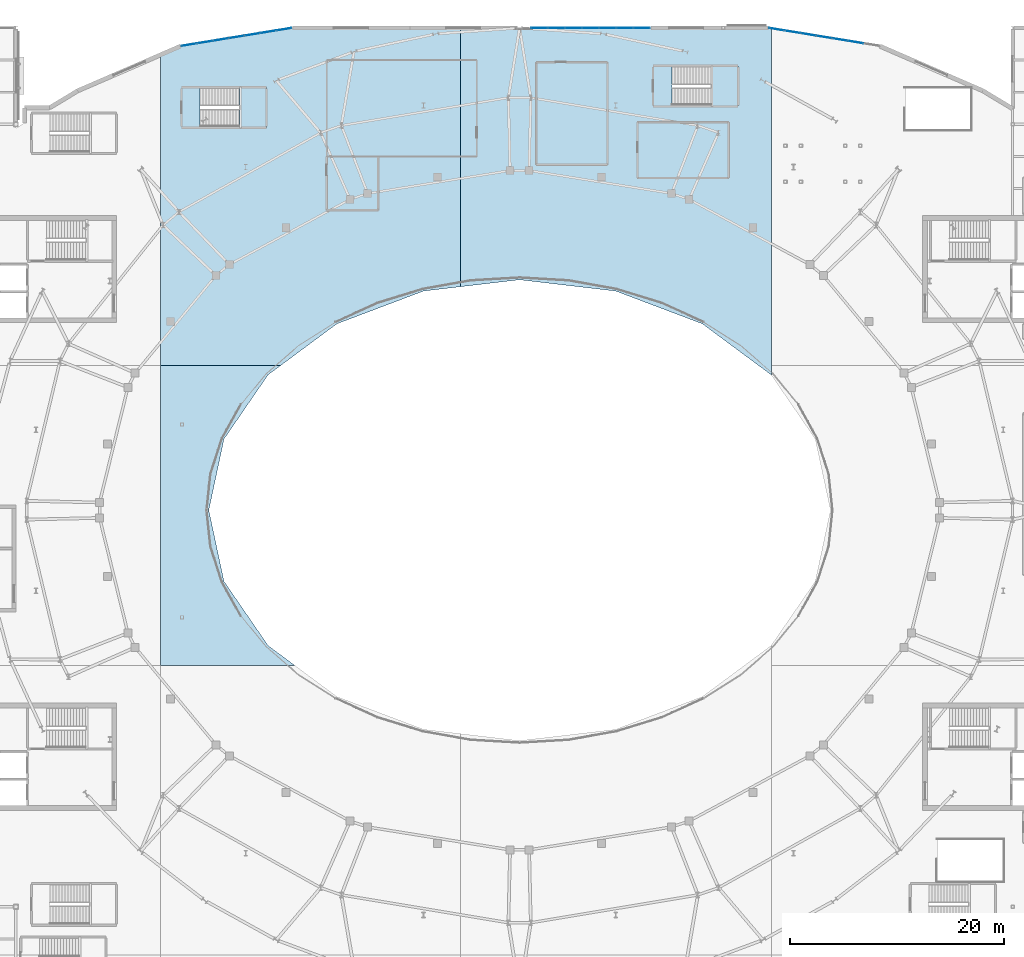
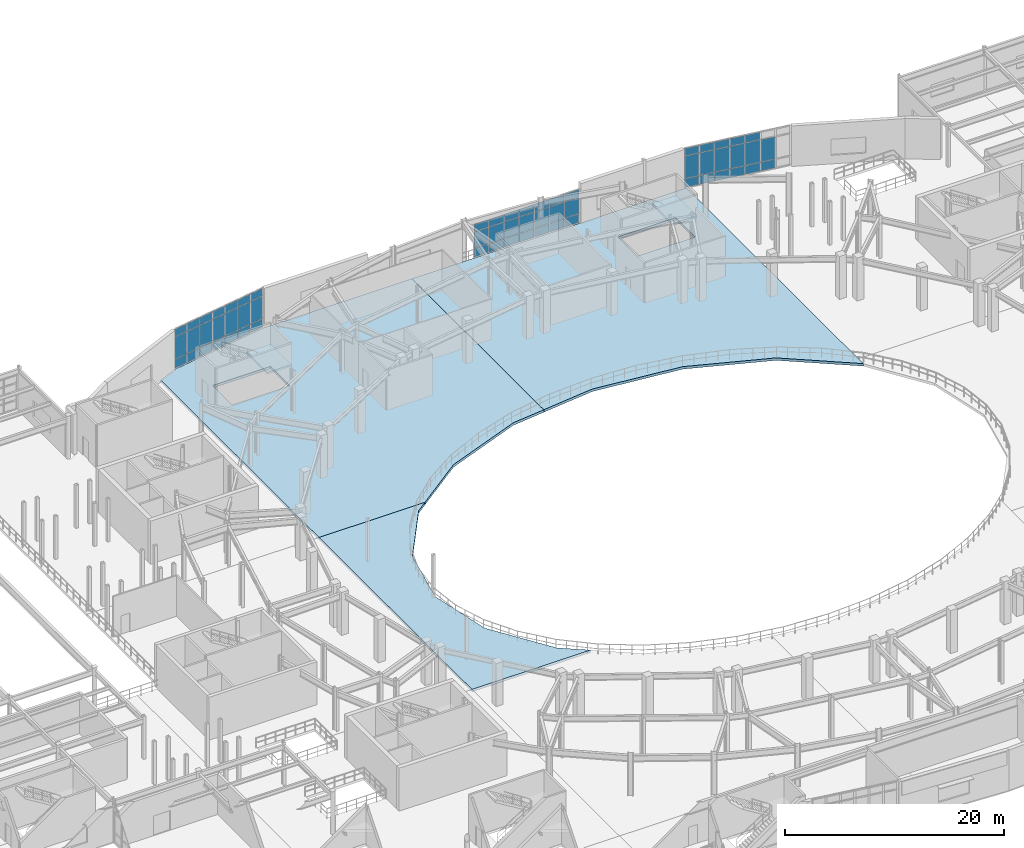
# One storey, part 56 of 86: 59 plates, 5 slabs, 5 elements without a shape of their own.
"""IFC4 building model written with IfcOpenShell, lengths in metres."""

from ifc_helpers import new_model, si_unit, direction, frame, origin, origin_2d, place, context, subcontext, project, spatial, polyline, rectangle, outline, extrude, material, layer, layer_set, type_object, element, aggregate, save


model = new_model("IFC4")

# Units and contexts
model_context = context("Model", 3, precision=1e-05, world=origin(), true_north=direction((0.0, 1.0)))
body_context = subcontext(model_context, "Body", "Model", "MODEL_VIEW")
ifc_project = project(units=[si_unit("LENGTHUNIT", "METRE"), si_unit("AREAUNIT", "SQUARE_METRE"), si_unit("VOLUMEUNIT", "CUBIC_METRE"), si_unit("PLANEANGLEUNIT", "RADIAN"), si_unit("MASSUNIT", "GRAM", prefix="KILO")], contexts=[model_context])

# Site, building, storey
site_placement = place(None, origin())
site = spatial("IfcSite", under=ifc_project, at=site_placement, CompositionType="ELEMENT")
building_placement = place(site_placement, origin())
building = spatial("IfcBuilding", under=site, at=building_placement, Name="Glasvene Arena", CompositionType="ELEMENT")
storey_placement = place(building_placement, frame((0.0, 0.0, 5.39990234375)))
storey = spatial("IfcBuildingStorey", under=building, at=storey_placement, Name="L01", CompositionType="ELEMENT", Elevation=5.39990234375)

# Curtain wall, plates
ifc_material_1 = material(Name="Low-emissivity laminated double glazing", Category="glass")
curtain_wall_type_1 = type_object("IfcCurtainWallType", Name="CW-FAC-L01-1047x446", PredefinedType="USERDEFINED", material=ifc_material_1)
curtain_wall_1_placement = place(storey_placement, frame((60.42041015625, 116.314208984375, 0.0)))
curtain_wall_1 = element("IfcCurtainWall", 1, at=curtain_wall_1_placement, inside=storey, type_object=curtain_wall_type_1, Name="Unitised curtain wall CW-F-L01-180-656-1172-10", ObjectType="CURTAIN WALL", PredefinedType="USERDEFINED")
ifc_layer_1 = layer(ifc_material_1, 0.028076171875)
ifc_layer_set_1 = layer_set([ifc_layer_1], Name="Low-emissivity laminated double glazing")
plate_type = type_object("IfcPlateType", Name="CW-GLZ-28", PredefinedType="CURTAIN_PANEL", material=ifc_layer_set_1)
plate_1_placement = place(storey_placement, frame((61.1708984375, 116.43603515625, 0.10986328125), z_axis=(0.0, 0.0, 1.0), x_axis=(0.987057439407, 0.160367114184, 0.0)))
plate_1 = element("IfcPlate", 2, at=plate_1_placement, type_object=plate_type, Name="CW-008 panel 1.1", PredefinedType="CURTAIN_PANEL", context=body_context, shape_type="SweptSolid", body=[
    extrude(rectangle(XDim=1.421142578125, YDim=0.028076171875, at=origin_2d()), origin(), (0.0, 0.0, 1.0), 0.965087890625),
])
plate_2_placement = place(storey_placement, frame((61.1708984375, 116.43603515625, 1.125), z_axis=(0.0, 0.0, 1.0), x_axis=(0.987057439407, 0.160367114184, 0.0)))
plate_2 = element("IfcPlate", 3, at=plate_2_placement, type_object=plate_type, Name="CW-008 panel 1.2", PredefinedType="CURTAIN_PANEL", context=body_context, shape_type="SweptSolid", body=[
    extrude(rectangle(XDim=1.421142578125, YDim=0.028076171875, at=origin_2d()), origin(), (0.0, 0.0, 1.0), 2.469970703125),
])
plate_3_placement = place(storey_placement, frame((61.1708984375, 116.43603515625, 3.64501953125), z_axis=(0.0, 0.0, 1.0), x_axis=(0.987057439407, 0.160367114184, 0.0)))
plate_3 = element("IfcPlate", 4, at=plate_3_placement, type_object=plate_type, Name="CW-008 panel 1.3", PredefinedType="CURTAIN_PANEL", context=body_context, shape_type="SweptSolid", body=[
    extrude(rectangle(XDim=1.421142578125, YDim=0.028076171875, at=origin_2d()), origin(), (0.0, 0.0, 1.0), 0.824951171875),
])
plate_4_placement = place(storey_placement, frame((62.635498046875, 116.674072265625, 0.10986328125), z_axis=(0.0, 0.0, 1.0), x_axis=(0.987057439407, 0.160367114184, 0.0)))
plate_4 = element("IfcPlate", 5, at=plate_4_placement, type_object=plate_type, Name="CW-008 panel 2.1", PredefinedType="CURTAIN_PANEL", context=body_context, shape_type="SweptSolid", body=[
    extrude(rectangle(XDim=1.446044921875, YDim=0.028076171875, at=origin_2d()), origin(), (0.0, 0.0, 1.0), 0.965087890625),
])
plate_5_placement = place(storey_placement, frame((62.635498046875, 116.674072265625, 1.125), z_axis=(0.0, 0.0, 1.0), x_axis=(0.987057439407, 0.160367114184, 0.0)))
plate_5 = element("IfcPlate", 6, at=plate_5_placement, type_object=plate_type, Name="CW-008 panel 2.2", PredefinedType="CURTAIN_PANEL", context=body_context, shape_type="SweptSolid", body=[
    extrude(rectangle(XDim=1.446044921875, YDim=0.028076171875, at=origin_2d()), origin(), (0.0, 0.0, 1.0), 2.469970703125),
])
plate_6_placement = place(storey_placement, frame((62.635498046875, 116.674072265625, 3.64501953125), z_axis=(0.0, 0.0, 1.0), x_axis=(0.987057439407, 0.160367114184, 0.0)))
plate_6 = element("IfcPlate", 7, at=plate_6_placement, type_object=plate_type, Name="CW-008 panel 2.3", PredefinedType="CURTAIN_PANEL", context=body_context, shape_type="SweptSolid", body=[
    extrude(rectangle(XDim=1.446044921875, YDim=0.028076171875, at=origin_2d()), origin(), (0.0, 0.0, 1.0), 0.824951171875),
])
plate_7_placement = place(storey_placement, frame((64.1123046875, 116.913818359375, 0.10986328125), z_axis=(0.0, 0.0, 1.0), x_axis=(0.987057439407, 0.160367114184, 0.0)))
plate_7 = element("IfcPlate", 8, at=plate_7_placement, type_object=plate_type, Name="CW-008 panel 3.1", PredefinedType="CURTAIN_PANEL", context=body_context, shape_type="SweptSolid", body=[
    extrude(rectangle(XDim=1.446044921875, YDim=0.028076171875, at=origin_2d()), origin(), (0.0, 0.0, 1.0), 0.965087890625),
])
plate_8_placement = place(storey_placement, frame((64.1123046875, 116.913818359375, 1.125), z_axis=(0.0, 0.0, 1.0), x_axis=(0.987057439407, 0.160367114184, 0.0)))
plate_8 = element("IfcPlate", 9, at=plate_8_placement, type_object=plate_type, Name="CW-008 panel 3.2", PredefinedType="CURTAIN_PANEL", context=body_context, shape_type="SweptSolid", body=[
    extrude(rectangle(XDim=1.446044921875, YDim=0.028076171875, at=origin_2d()), origin(), (0.0, 0.0, 1.0), 2.469970703125),
])
plate_9_placement = place(storey_placement, frame((64.1123046875, 116.913818359375, 3.64501953125), z_axis=(0.0, 0.0, 1.0), x_axis=(0.987057439407, 0.160367114184, 0.0)))
plate_9 = element("IfcPlate", 10, at=plate_9_placement, type_object=plate_type, Name="CW-008 panel 3.3", PredefinedType="CURTAIN_PANEL", context=body_context, shape_type="SweptSolid", body=[
    extrude(rectangle(XDim=1.446044921875, YDim=0.028076171875, at=origin_2d()), origin(), (0.0, 0.0, 1.0), 0.824951171875),
])
plate_10_placement = place(storey_placement, frame((65.5888671875, 117.15380859375, 0.10986328125), z_axis=(0.0, 0.0, 1.0), x_axis=(0.987057439407, 0.160367114184, 0.0)))
plate_10 = element("IfcPlate", 11, at=plate_10_placement, type_object=plate_type, Name="CW-008 panel 4.1", PredefinedType="CURTAIN_PANEL", context=body_context, shape_type="SweptSolid", body=[
    extrude(rectangle(XDim=1.446044921875, YDim=0.028076171875, at=origin_2d()), origin(), (0.0, 0.0, 1.0), 0.965087890625),
])
plate_11_placement = place(storey_placement, frame((65.5888671875, 117.15380859375, 1.125), z_axis=(0.0, 0.0, 1.0), x_axis=(0.987057439407, 0.160367114184, 0.0)))
plate_11 = element("IfcPlate", 12, at=plate_11_placement, type_object=plate_type, Name="CW-008 panel 4.2", PredefinedType="CURTAIN_PANEL", context=body_context, shape_type="SweptSolid", body=[
    extrude(rectangle(XDim=1.446044921875, YDim=0.028076171875, at=origin_2d()), origin(), (0.0, 0.0, 1.0), 2.469970703125),
])
plate_12_placement = place(storey_placement, frame((65.5888671875, 117.15380859375, 3.64501953125), z_axis=(0.0, 0.0, 1.0), x_axis=(0.987057439407, 0.160367114184, 0.0)))
plate_12 = element("IfcPlate", 13, at=plate_12_placement, type_object=plate_type, Name="CW-008 panel 4.3", PredefinedType="CURTAIN_PANEL", context=body_context, shape_type="SweptSolid", body=[
    extrude(rectangle(XDim=1.446044921875, YDim=0.028076171875, at=origin_2d()), origin(), (0.0, 0.0, 1.0), 0.824951171875),
])
plate_13_placement = place(storey_placement, frame((67.065673828125, 117.393798828125, 0.10986328125), z_axis=(0.0, 0.0, 1.0), x_axis=(0.987057439407, 0.160367114184, 0.0)))
plate_13 = element("IfcPlate", 14, at=plate_13_placement, type_object=plate_type, Name="CW-008 panel 5.1", PredefinedType="CURTAIN_PANEL", context=body_context, shape_type="SweptSolid", body=[
    extrude(rectangle(XDim=1.446044921875, YDim=0.028076171875, at=origin_2d()), origin(), (0.0, 0.0, 1.0), 0.965087890625),
])
plate_14_placement = place(storey_placement, frame((67.065673828125, 117.393798828125, 1.125), z_axis=(0.0, 0.0, 1.0), x_axis=(0.987057439407, 0.160367114184, 0.0)))
plate_14 = element("IfcPlate", 15, at=plate_14_placement, type_object=plate_type, Name="CW-008 panel 5.2", PredefinedType="CURTAIN_PANEL", context=body_context, shape_type="SweptSolid", body=[
    extrude(rectangle(XDim=1.446044921875, YDim=0.028076171875, at=origin_2d()), origin(), (0.0, 0.0, 1.0), 2.469970703125),
])
plate_15_placement = place(storey_placement, frame((67.065673828125, 117.393798828125, 3.64501953125), z_axis=(0.0, 0.0, 1.0), x_axis=(0.987057439407, 0.160367114184, 0.0)))
plate_15 = element("IfcPlate", 16, at=plate_15_placement, type_object=plate_type, Name="CW-008 panel 5.3", PredefinedType="CURTAIN_PANEL", context=body_context, shape_type="SweptSolid", body=[
    extrude(rectangle(XDim=1.446044921875, YDim=0.028076171875, at=origin_2d()), origin(), (0.0, 0.0, 1.0), 0.824951171875),
])
plate_16_placement = place(storey_placement, frame((68.54248046875, 117.6337890625, 0.10986328125), z_axis=(0.0, 0.0, 1.0), x_axis=(0.987057439407, 0.160367114184, 0.0)))
plate_16 = element("IfcPlate", 17, at=plate_16_placement, type_object=plate_type, Name="CW-008 panel 6.1", PredefinedType="CURTAIN_PANEL", context=body_context, shape_type="SweptSolid", body=[
    extrude(rectangle(XDim=1.446044921875, YDim=0.028076171875, at=origin_2d()), origin(), (0.0, 0.0, 1.0), 0.965087890625),
])
plate_17_placement = place(storey_placement, frame((68.54248046875, 117.6337890625, 1.125), z_axis=(0.0, 0.0, 1.0), x_axis=(0.987057439407, 0.160367114184, 0.0)))
plate_17 = element("IfcPlate", 18, at=plate_17_placement, type_object=plate_type, Name="CW-008 panel 6.2", PredefinedType="CURTAIN_PANEL", context=body_context, shape_type="SweptSolid", body=[
    extrude(rectangle(XDim=1.446044921875, YDim=0.028076171875, at=origin_2d()), origin(), (0.0, 0.0, 1.0), 2.469970703125),
])
plate_18_placement = place(storey_placement, frame((68.54248046875, 117.6337890625, 3.64501953125), z_axis=(0.0, 0.0, 1.0), x_axis=(0.987057439407, 0.160367114184, 0.0)))
plate_18 = element("IfcPlate", 19, at=plate_18_placement, type_object=plate_type, Name="CW-008 panel 6.3", PredefinedType="CURTAIN_PANEL", context=body_context, shape_type="SweptSolid", body=[
    extrude(rectangle(XDim=1.446044921875, YDim=0.028076171875, at=origin_2d()), origin(), (0.0, 0.0, 1.0), 0.824951171875),
])
plate_19_placement = place(storey_placement, frame((70.0068359375, 117.87158203125, 0.10986328125), z_axis=(0.0, 0.0, 1.0), x_axis=(0.987057439407, 0.160367114184, 0.0)))
plate_19 = element("IfcPlate", 20, at=plate_19_placement, type_object=plate_type, Name="CW-008 panel 7.1", PredefinedType="CURTAIN_PANEL", context=body_context, shape_type="SweptSolid", body=[
    extrude(rectangle(XDim=1.421142578125, YDim=0.028076171875, at=origin_2d()), origin(), (0.0, 0.0, 1.0), 0.965087890625),
])
plate_20_placement = place(storey_placement, frame((70.0068359375, 117.87158203125, 1.125), z_axis=(0.0, 0.0, 1.0), x_axis=(0.987057439407, 0.160367114184, 0.0)))
plate_20 = element("IfcPlate", 21, at=plate_20_placement, type_object=plate_type, Name="CW-008 panel 7.2", PredefinedType="CURTAIN_PANEL", context=body_context, shape_type="SweptSolid", body=[
    extrude(rectangle(XDim=1.421142578125, YDim=0.028076171875, at=origin_2d()), origin(), (0.0, 0.0, 1.0), 2.469970703125),
])
plate_21_placement = place(storey_placement, frame((70.0068359375, 117.87158203125, 3.64501953125), z_axis=(0.0, 0.0, 1.0), x_axis=(0.987057439407, 0.160367114184, 0.0)))
plate_21 = element("IfcPlate", 22, at=plate_21_placement, type_object=plate_type, Name="CW-008 panel 7.3", PredefinedType="CURTAIN_PANEL", context=body_context, shape_type="SweptSolid", body=[
    extrude(rectangle(XDim=1.421142578125, YDim=0.028076171875, at=origin_2d()), origin(), (0.0, 0.0, 1.0), 0.824951171875),
])
aggregate(curtain_wall_1, [plate_1, plate_2, plate_3, plate_4, plate_5, plate_6, plate_7, plate_8, plate_9, plate_10, plate_11, plate_12, plate_13, plate_14, plate_15, plate_16, plate_17, plate_18, plate_19, plate_20, plate_21])

curtain_wall_type_2 = type_object("IfcCurtainWallType", Name="CW-FAC-L01-1116x377", PredefinedType="USERDEFINED", material=ifc_material_1)
curtain_wall_2_placement = place(storey_placement, frame((93.0400390625, 118.0, 0.0)))
curtain_wall_2 = element("IfcCurtainWall", 23, at=curtain_wall_2_placement, inside=storey, type_object=curtain_wall_type_2, Name="Unitised curtain wall CW-F-L01-150-986-1180-13", ObjectType="CURTAIN WALL", PredefinedType="USERDEFINED")
plate_22_placement = place(storey_placement, frame((93.849609375, 118.0, 0.10986328125), z_axis=(0.0, 0.0, 1.0), x_axis=(1.0, 0.0, 0.0)))
plate_22 = element("IfcPlate", 24, at=plate_22_placement, type_object=plate_type, Name="CW-009 panel 1.1", PredefinedType="CURTAIN_PANEL", context=body_context, shape_type="SweptSolid", body=[
    extrude(rectangle(XDim=1.519287109375, YDim=0.028076171875, at=origin_2d()), origin(), (0.0, 0.0, 1.0), 0.965087890625),
])
plate_23_placement = place(storey_placement, frame((93.849609375, 118.0, 1.125), z_axis=(0.0, 0.0, 1.0), x_axis=(1.0, 0.0, 0.0)))
plate_23 = element("IfcPlate", 25, at=plate_23_placement, type_object=plate_type, Name="CW-009 panel 1.2", PredefinedType="CURTAIN_PANEL", context=body_context, shape_type="SweptSolid", body=[
    extrude(rectangle(XDim=1.519287109375, YDim=0.028076171875, at=origin_2d()), origin(), (0.0, 0.0, 1.0), 1.781982421875),
])
plate_24_placement = place(storey_placement, frame((93.849609375, 118.0, 2.95703125), z_axis=(0.0, 0.0, 1.0), x_axis=(1.0, 0.0, 0.0)))
plate_24 = element("IfcPlate", 26, at=plate_24_placement, type_object=plate_type, Name="CW-009 panel 1.3", PredefinedType="CURTAIN_PANEL", context=body_context, shape_type="SweptSolid", body=[
    extrude(rectangle(XDim=1.519287109375, YDim=0.028076171875, at=origin_2d()), origin(), (0.0, 0.0, 1.0), 0.824951171875),
])
plate_25_placement = place(storey_placement, frame((95.431396484375, 118.0, 0.10986328125), z_axis=(0.0, 0.0, 1.0), x_axis=(1.0, 0.0, 0.0)))
plate_25 = element("IfcPlate", 27, at=plate_25_placement, type_object=plate_type, Name="CW-009 panel 2.1", PredefinedType="CURTAIN_PANEL", context=body_context, shape_type="SweptSolid", body=[
    extrude(rectangle(XDim=1.544189453125, YDim=0.028076171875, at=origin_2d()), origin(), (0.0, 0.0, 1.0), 0.965087890625),
])
plate_26_placement = place(storey_placement, frame((95.431396484375, 118.0, 1.125), z_axis=(0.0, 0.0, 1.0), x_axis=(1.0, 0.0, 0.0)))
plate_26 = element("IfcPlate", 28, at=plate_26_placement, type_object=plate_type, Name="CW-009 panel 2.2", PredefinedType="CURTAIN_PANEL", context=body_context, shape_type="SweptSolid", body=[
    extrude(rectangle(XDim=1.544189453125, YDim=0.028076171875, at=origin_2d()), origin(), (0.0, 0.0, 1.0), 1.781982421875),
])
plate_27_placement = place(storey_placement, frame((95.431396484375, 118.0, 2.95703125), z_axis=(0.0, 0.0, 1.0), x_axis=(1.0, 0.0, 0.0)))
plate_27 = element("IfcPlate", 29, at=plate_27_placement, type_object=plate_type, Name="CW-009 panel 2.3", PredefinedType="CURTAIN_PANEL", context=body_context, shape_type="SweptSolid", body=[
    extrude(rectangle(XDim=1.544189453125, YDim=0.028076171875, at=origin_2d()), origin(), (0.0, 0.0, 1.0), 0.824951171875),
])
plate_28_placement = place(storey_placement, frame((97.025634765625, 118.0, 0.10986328125), z_axis=(0.0, 0.0, 1.0), x_axis=(1.0, 0.0, 0.0)))
plate_28 = element("IfcPlate", 30, at=plate_28_placement, type_object=plate_type, Name="CW-009 panel 3.1", PredefinedType="CURTAIN_PANEL", context=body_context, shape_type="SweptSolid", body=[
    extrude(rectangle(XDim=1.544189453125, YDim=0.028076171875, at=origin_2d()), origin(), (0.0, 0.0, 1.0), 0.965087890625),
])
plate_29_placement = place(storey_placement, frame((97.025634765625, 118.0, 1.125), z_axis=(0.0, 0.0, 1.0), x_axis=(1.0, 0.0, 0.0)))
plate_29 = element("IfcPlate", 31, at=plate_29_placement, type_object=plate_type, Name="CW-009 panel 3.2", PredefinedType="CURTAIN_PANEL", context=body_context, shape_type="SweptSolid", body=[
    extrude(rectangle(XDim=1.544189453125, YDim=0.028076171875, at=origin_2d()), origin(), (0.0, 0.0, 1.0), 1.781982421875),
])
plate_30_placement = place(storey_placement, frame((97.025634765625, 118.0, 2.95703125), z_axis=(0.0, 0.0, 1.0), x_axis=(1.0, 0.0, 0.0)))
plate_30 = element("IfcPlate", 32, at=plate_30_placement, type_object=plate_type, Name="CW-009 panel 3.3", PredefinedType="CURTAIN_PANEL", context=body_context, shape_type="SweptSolid", body=[
    extrude(rectangle(XDim=1.544189453125, YDim=0.028076171875, at=origin_2d()), origin(), (0.0, 0.0, 1.0), 0.824951171875),
])
plate_31_placement = place(storey_placement, frame((98.619873046875, 118.0, 0.10986328125), z_axis=(0.0, 0.0, 1.0), x_axis=(1.0, 0.0, 0.0)))
plate_31 = element("IfcPlate", 33, at=plate_31_placement, type_object=plate_type, Name="CW-009 panel 4.1", PredefinedType="CURTAIN_PANEL", context=body_context, shape_type="SweptSolid", body=[
    extrude(rectangle(XDim=1.544189453125, YDim=0.028076171875, at=origin_2d()), origin(), (0.0, 0.0, 1.0), 0.965087890625),
])
plate_32_placement = place(storey_placement, frame((98.619873046875, 118.0, 1.125), z_axis=(0.0, 0.0, 1.0), x_axis=(1.0, 0.0, 0.0)))
plate_32 = element("IfcPlate", 34, at=plate_32_placement, type_object=plate_type, Name="CW-009 panel 4.2", PredefinedType="CURTAIN_PANEL", context=body_context, shape_type="SweptSolid", body=[
    extrude(rectangle(XDim=1.544189453125, YDim=0.028076171875, at=origin_2d()), origin(), (0.0, 0.0, 1.0), 1.781982421875),
])
plate_33_placement = place(storey_placement, frame((98.619873046875, 118.0, 2.95703125), z_axis=(0.0, 0.0, 1.0), x_axis=(1.0, 0.0, 0.0)))
plate_33 = element("IfcPlate", 35, at=plate_33_placement, type_object=plate_type, Name="CW-009 panel 4.3", PredefinedType="CURTAIN_PANEL", context=body_context, shape_type="SweptSolid", body=[
    extrude(rectangle(XDim=1.544189453125, YDim=0.028076171875, at=origin_2d()), origin(), (0.0, 0.0, 1.0), 0.824951171875),
])
plate_34_placement = place(storey_placement, frame((100.214111328125, 118.0, 0.10986328125), z_axis=(0.0, 0.0, 1.0), x_axis=(1.0, 0.0, 0.0)))
plate_34 = element("IfcPlate", 36, at=plate_34_placement, type_object=plate_type, Name="CW-009 panel 5.1", PredefinedType="CURTAIN_PANEL", context=body_context, shape_type="SweptSolid", body=[
    extrude(rectangle(XDim=1.544189453125, YDim=0.028076171875, at=origin_2d()), origin(), (0.0, 0.0, 1.0), 0.965087890625),
])
plate_35_placement = place(storey_placement, frame((100.214111328125, 118.0, 1.125), z_axis=(0.0, 0.0, 1.0), x_axis=(1.0, 0.0, 0.0)))
plate_35 = element("IfcPlate", 37, at=plate_35_placement, type_object=plate_type, Name="CW-009 panel 5.2", PredefinedType="CURTAIN_PANEL", context=body_context, shape_type="SweptSolid", body=[
    extrude(rectangle(XDim=1.544189453125, YDim=0.028076171875, at=origin_2d()), origin(), (0.0, 0.0, 1.0), 1.781982421875),
])
plate_36_placement = place(storey_placement, frame((100.214111328125, 118.0, 2.95703125), z_axis=(0.0, 0.0, 1.0), x_axis=(1.0, 0.0, 0.0)))
plate_36 = element("IfcPlate", 38, at=plate_36_placement, type_object=plate_type, Name="CW-009 panel 5.3", PredefinedType="CURTAIN_PANEL", context=body_context, shape_type="SweptSolid", body=[
    extrude(rectangle(XDim=1.544189453125, YDim=0.028076171875, at=origin_2d()), origin(), (0.0, 0.0, 1.0), 0.824951171875),
])
plate_37_placement = place(storey_placement, frame((101.808349609375, 118.0, 0.10986328125), z_axis=(0.0, 0.0, 1.0), x_axis=(1.0, 0.0, 0.0)))
plate_37 = element("IfcPlate", 39, at=plate_37_placement, type_object=plate_type, Name="CW-009 panel 6.1", PredefinedType="CURTAIN_PANEL", context=body_context, shape_type="SweptSolid", body=[
    extrude(rectangle(XDim=1.544189453125, YDim=0.028076171875, at=origin_2d()), origin(), (0.0, 0.0, 1.0), 0.965087890625),
])
plate_38_placement = place(storey_placement, frame((101.808349609375, 118.0, 1.125), z_axis=(0.0, 0.0, 1.0), x_axis=(1.0, 0.0, 0.0)))
plate_38 = element("IfcPlate", 40, at=plate_38_placement, type_object=plate_type, Name="CW-009 panel 6.2", PredefinedType="CURTAIN_PANEL", context=body_context, shape_type="SweptSolid", body=[
    extrude(rectangle(XDim=1.544189453125, YDim=0.028076171875, at=origin_2d()), origin(), (0.0, 0.0, 1.0), 1.781982421875),
])
plate_39_placement = place(storey_placement, frame((101.808349609375, 118.0, 2.95703125), z_axis=(0.0, 0.0, 1.0), x_axis=(1.0, 0.0, 0.0)))
plate_39 = element("IfcPlate", 41, at=plate_39_placement, type_object=plate_type, Name="CW-009 panel 6.3", PredefinedType="CURTAIN_PANEL", context=body_context, shape_type="SweptSolid", body=[
    extrude(rectangle(XDim=1.544189453125, YDim=0.028076171875, at=origin_2d()), origin(), (0.0, 0.0, 1.0), 0.824951171875),
])
plate_40_placement = place(storey_placement, frame((103.39013671875, 118.0, 0.10986328125), z_axis=(0.0, 0.0, 1.0), x_axis=(1.0, 0.0, 0.0)))
plate_40 = element("IfcPlate", 42, at=plate_40_placement, type_object=plate_type, Name="CW-009 panel 7.1", PredefinedType="CURTAIN_PANEL", context=body_context, shape_type="SweptSolid", body=[
    extrude(rectangle(XDim=1.519287109375, YDim=0.028076171875, at=origin_2d()), origin(), (0.0, 0.0, 1.0), 0.965087890625),
])
plate_41_placement = place(storey_placement, frame((103.39013671875, 118.0, 1.125), z_axis=(0.0, 0.0, 1.0), x_axis=(1.0, 0.0, 0.0)))
plate_41 = element("IfcPlate", 43, at=plate_41_placement, type_object=plate_type, Name="CW-009 panel 7.2", PredefinedType="CURTAIN_PANEL", context=body_context, shape_type="SweptSolid", body=[
    extrude(rectangle(XDim=1.519287109375, YDim=0.028076171875, at=origin_2d()), origin(), (0.0, 0.0, 1.0), 1.781982421875),
])
plate_42_placement = place(storey_placement, frame((103.39013671875, 118.0, 2.95703125), z_axis=(0.0, 0.0, 1.0), x_axis=(1.0, 0.0, 0.0)))
plate_42 = element("IfcPlate", 44, at=plate_42_placement, type_object=plate_type, Name="CW-009 panel 7.3", PredefinedType="CURTAIN_PANEL", context=body_context, shape_type="SweptSolid", body=[
    extrude(rectangle(XDim=1.519287109375, YDim=0.028076171875, at=origin_2d()), origin(), (0.0, 0.0, 1.0), 0.824951171875),
])
aggregate(curtain_wall_2, [plate_22, plate_23, plate_24, plate_25, plate_26, plate_27, plate_28, plate_29, plate_30, plate_31, plate_32, plate_33, plate_34, plate_35, plate_36, plate_37, plate_38, plate_39, plate_40, plate_41, plate_42])

curtain_wall_3_placement = place(storey_placement, frame((115.242431640625, 117.99365234375, 0.0)))
curtain_wall_3 = element("IfcCurtainWall", 45, at=curtain_wall_3_placement, inside=storey, type_object=curtain_wall_type_1, Name="Unitised curtain wall CW-F-L01-180-1204-1172-16", ObjectType="CURTAIN WALL", PredefinedType="USERDEFINED")
plate_43_placement = place(storey_placement, frame((115.9931640625, 117.87158203125, 0.10986328125), z_axis=(0.0, 0.0, 1.0), x_axis=(0.987057439407, -0.160367114184, 0.0)))
plate_43 = element("IfcPlate", 46, at=plate_43_placement, type_object=plate_type, Name="CW-008 panel 1.1", PredefinedType="CURTAIN_PANEL", context=body_context, shape_type="SweptSolid", body=[
    extrude(rectangle(XDim=1.421142578125, YDim=0.028076171875, at=origin_2d()), origin(), (0.0, 0.0, 1.0), 0.965087890625),
])
plate_44_placement = place(storey_placement, frame((115.9931640625, 117.87158203125, 1.125), z_axis=(0.0, 0.0, 1.0), x_axis=(0.987057439407, -0.160367114184, 0.0)))
plate_44 = element("IfcPlate", 47, at=plate_44_placement, type_object=plate_type, Name="CW-008 panel 1.2", PredefinedType="CURTAIN_PANEL", context=body_context, shape_type="SweptSolid", body=[
    extrude(rectangle(XDim=1.421142578125, YDim=0.028076171875, at=origin_2d()), origin(), (0.0, 0.0, 1.0), 2.469970703125),
])
plate_45_placement = place(storey_placement, frame((115.9931640625, 117.87158203125, 3.64501953125), z_axis=(0.0, 0.0, 1.0), x_axis=(0.987057439407, -0.160367114184, 0.0)))
plate_45 = element("IfcPlate", 48, at=plate_45_placement, type_object=plate_type, Name="CW-008 panel 1.3", PredefinedType="CURTAIN_PANEL", context=body_context, shape_type="SweptSolid", body=[
    extrude(rectangle(XDim=1.421142578125, YDim=0.028076171875, at=origin_2d()), origin(), (0.0, 0.0, 1.0), 0.824951171875),
])
plate_46_placement = place(storey_placement, frame((117.45751953125, 117.6337890625, 0.10986328125), z_axis=(0.0, 0.0, 1.0), x_axis=(0.987057439407, -0.160367114184, 0.0)))
plate_46 = element("IfcPlate", 49, at=plate_46_placement, type_object=plate_type, Name="CW-008 panel 2.1", PredefinedType="CURTAIN_PANEL", context=body_context, shape_type="SweptSolid", body=[
    extrude(rectangle(XDim=1.446044921875, YDim=0.028076171875, at=origin_2d()), origin(), (0.0, 0.0, 1.0), 0.965087890625),
])
plate_47_placement = place(storey_placement, frame((117.45751953125, 117.6337890625, 1.125), z_axis=(0.0, 0.0, 1.0), x_axis=(0.987057439407, -0.160367114184, 0.0)))
plate_47 = element("IfcPlate", 50, at=plate_47_placement, type_object=plate_type, Name="CW-008 panel 2.2", PredefinedType="CURTAIN_PANEL", context=body_context, shape_type="SweptSolid", body=[
    extrude(rectangle(XDim=1.446044921875, YDim=0.028076171875, at=origin_2d()), origin(), (0.0, 0.0, 1.0), 2.469970703125),
])
plate_48_placement = place(storey_placement, frame((117.45751953125, 117.6337890625, 3.64501953125), z_axis=(0.0, 0.0, 1.0), x_axis=(0.987057439407, -0.160367114184, 0.0)))
plate_48 = element("IfcPlate", 51, at=plate_48_placement, type_object=plate_type, Name="CW-008 panel 2.3", PredefinedType="CURTAIN_PANEL", context=body_context, shape_type="SweptSolid", body=[
    extrude(rectangle(XDim=1.446044921875, YDim=0.028076171875, at=origin_2d()), origin(), (0.0, 0.0, 1.0), 0.824951171875),
])
plate_49_placement = place(storey_placement, frame((118.934326171875, 117.393798828125, 0.10986328125), z_axis=(0.0, 0.0, 1.0), x_axis=(0.987057439407, -0.160367114184, 0.0)))
plate_49 = element("IfcPlate", 52, at=plate_49_placement, type_object=plate_type, Name="CW-008 panel 3.1", PredefinedType="CURTAIN_PANEL", context=body_context, shape_type="SweptSolid", body=[
    extrude(rectangle(XDim=1.446044921875, YDim=0.028076171875, at=origin_2d()), origin(), (0.0, 0.0, 1.0), 0.965087890625),
])
plate_50_placement = place(storey_placement, frame((118.934326171875, 117.393798828125, 1.125), z_axis=(0.0, 0.0, 1.0), x_axis=(0.987057439407, -0.160367114184, 0.0)))
plate_50 = element("IfcPlate", 53, at=plate_50_placement, type_object=plate_type, Name="CW-008 panel 3.2", PredefinedType="CURTAIN_PANEL", context=body_context, shape_type="SweptSolid", body=[
    extrude(rectangle(XDim=1.446044921875, YDim=0.028076171875, at=origin_2d()), origin(), (0.0, 0.0, 1.0), 2.469970703125),
])
plate_51_placement = place(storey_placement, frame((118.934326171875, 117.393798828125, 3.64501953125), z_axis=(0.0, 0.0, 1.0), x_axis=(0.987057439407, -0.160367114184, 0.0)))
plate_51 = element("IfcPlate", 54, at=plate_51_placement, type_object=plate_type, Name="CW-008 panel 3.3", PredefinedType="CURTAIN_PANEL", context=body_context, shape_type="SweptSolid", body=[
    extrude(rectangle(XDim=1.446044921875, YDim=0.028076171875, at=origin_2d()), origin(), (0.0, 0.0, 1.0), 0.824951171875),
])
plate_52_placement = place(storey_placement, frame((120.4111328125, 117.15380859375, 0.10986328125), z_axis=(0.0, 0.0, 1.0), x_axis=(0.987057439407, -0.160367114184, 0.0)))
plate_52 = element("IfcPlate", 55, at=plate_52_placement, type_object=plate_type, Name="CW-008 panel 4.1", PredefinedType="CURTAIN_PANEL", context=body_context, shape_type="SweptSolid", body=[
    extrude(rectangle(XDim=1.446044921875, YDim=0.028076171875, at=origin_2d()), origin(), (0.0, 0.0, 1.0), 0.965087890625),
])
plate_53_placement = place(storey_placement, frame((120.4111328125, 117.15380859375, 1.125), z_axis=(0.0, 0.0, 1.0), x_axis=(0.987057439407, -0.160367114184, 0.0)))
plate_53 = element("IfcPlate", 56, at=plate_53_placement, type_object=plate_type, Name="CW-008 panel 4.2", PredefinedType="CURTAIN_PANEL", context=body_context, shape_type="SweptSolid", body=[
    extrude(rectangle(XDim=1.446044921875, YDim=0.028076171875, at=origin_2d()), origin(), (0.0, 0.0, 1.0), 2.469970703125),
])
plate_54_placement = place(storey_placement, frame((120.4111328125, 117.15380859375, 3.64501953125), z_axis=(0.0, 0.0, 1.0), x_axis=(0.987057439407, -0.160367114184, 0.0)))
plate_54 = element("IfcPlate", 57, at=plate_54_placement, type_object=plate_type, Name="CW-008 panel 4.3", PredefinedType="CURTAIN_PANEL", context=body_context, shape_type="SweptSolid", body=[
    extrude(rectangle(XDim=1.446044921875, YDim=0.028076171875, at=origin_2d()), origin(), (0.0, 0.0, 1.0), 0.824951171875),
])
plate_55_placement = place(storey_placement, frame((121.8876953125, 116.913818359375, 0.10986328125), z_axis=(0.0, 0.0, 1.0), x_axis=(0.987057439407, -0.160367114184, 0.0)))
plate_55 = element("IfcPlate", 58, at=plate_55_placement, type_object=plate_type, Name="CW-008 panel 5.1", PredefinedType="CURTAIN_PANEL", context=body_context, shape_type="SweptSolid", body=[
    extrude(rectangle(XDim=1.446044921875, YDim=0.028076171875, at=origin_2d()), origin(), (0.0, 0.0, 1.0), 0.965087890625),
])
plate_56_placement = place(storey_placement, frame((121.8876953125, 116.913818359375, 1.125), z_axis=(0.0, 0.0, 1.0), x_axis=(0.987057439407, -0.160367114184, 0.0)))
plate_56 = element("IfcPlate", 59, at=plate_56_placement, type_object=plate_type, Name="CW-008 panel 5.2", PredefinedType="CURTAIN_PANEL", context=body_context, shape_type="SweptSolid", body=[
    extrude(rectangle(XDim=1.446044921875, YDim=0.028076171875, at=origin_2d()), origin(), (0.0, 0.0, 1.0), 2.469970703125),
])
plate_57_placement = place(storey_placement, frame((121.8876953125, 116.913818359375, 3.64501953125), z_axis=(0.0, 0.0, 1.0), x_axis=(0.987057439407, -0.160367114184, 0.0)))
plate_57 = element("IfcPlate", 60, at=plate_57_placement, type_object=plate_type, Name="CW-008 panel 5.3", PredefinedType="CURTAIN_PANEL", context=body_context, shape_type="SweptSolid", body=[
    extrude(rectangle(XDim=1.446044921875, YDim=0.028076171875, at=origin_2d()), origin(), (0.0, 0.0, 1.0), 0.824951171875),
])
plate_58_placement = place(storey_placement, frame((123.364501953125, 116.674072265625, 0.10986328125), z_axis=(0.0, 0.0, 1.0), x_axis=(0.987057439407, -0.160367114184, 0.0)))
plate_58 = element("IfcPlate", 61, at=plate_58_placement, type_object=plate_type, Name="CW-008 panel 6.1", PredefinedType="CURTAIN_PANEL", context=body_context, shape_type="SweptSolid", body=[
    extrude(rectangle(XDim=1.446044921875, YDim=0.028076171875, at=origin_2d()), origin(), (0.0, 0.0, 1.0), 0.965087890625),
])
plate_59_placement = place(storey_placement, frame((123.364501953125, 116.674072265625, 1.125), z_axis=(0.0, 0.0, 1.0), x_axis=(0.987057439407, -0.160367114184, 0.0)))
plate_59 = element("IfcPlate", 62, at=plate_59_placement, type_object=plate_type, Name="CW-008 panel 6.2", PredefinedType="CURTAIN_PANEL", context=body_context, shape_type="SweptSolid", body=[
    extrude(rectangle(XDim=1.446044921875, YDim=0.028076171875, at=origin_2d()), origin(), (0.0, 0.0, 1.0), 2.469970703125),
])
aggregate(curtain_wall_3, [plate_43, plate_44, plate_45, plate_46, plate_47, plate_48, plate_49, plate_50, plate_51, plate_52, plate_53, plate_54, plate_55, plate_56, plate_57, plate_58, plate_59])

# Slabs
ifc_material_2 = material(Name="Concrete C40/50", Category="concrete")
ifc_layer_2 = layer(ifc_material_2, 0.280029296875)
ifc_layer_set_2 = layer_set([ifc_layer_2], Name="Concrete C40/50")
slab_type_1 = type_object("IfcSlabType", Name="SL-CONC-280", PredefinedType="FLOOR", material=ifc_layer_set_2)
slab_1_placement = place(storey_placement, frame((65.185302734375, 72.77783203125, -0.27978515625)))
element("IfcSlab", 63, at=slab_1_placement, inside=storey, type_object=slab_type_1, Name="Structural floor slab L01 sector 3-3 (52)", PredefinedType="FLOOR", context=body_context, shape_type="SweptSolid", body=[
    extrude(outline(polyline([(3.353271484375, 12.859619140625), (-0.765869140625, 6.865966796875), (-2.185302734375, 0.22216796875), (-0.765869140625, -6.421630859375), (3.353271484375, -12.415283203125), (5.865478515625, -14.27783203125), (-6.685302734375, -14.27783203125), (-6.685302734375, 13.72216796875), (4.5166015625, 13.72216796875), (3.353271484375, 12.859619140625)])), origin(), (0.0, 0.0, 1.0), 0.27978515625),
])
slab_2_placement = place(storey_placement, frame((72.096923828125, 102.05517578125, -0.27978515625)))
element("IfcSlab", 64, at=slab_2_placement, inside=storey, type_object=slab_type_1, Name="Structural floor slab L01 sector 4-3 (57)", PredefinedType="FLOOR", context=body_context, shape_type="SweptSolid", body=[
    extrude(outline(polyline([(-1.2998046875, 15.94482421875), (14.403076171875, 15.94482421875), (14.403076171875, -8.200927734375), (10.941650390625, -8.607421875), (2.857177734375, -11.661376953125), (-2.39501953125, -15.55517578125), (-13.596923828125, -15.55517578125), (-13.596923828125, 13.436767578125), (-11.716064453125, 14.25244140625), (-1.2998046875, 15.94482421875)]), holes=[polyline([(-3.796875, 6.744873046875), (-3.796875, 10.294921875), (-9.89501953125, 10.294921875), (-9.89501953125, 6.744873046875), (-3.796875, 6.744873046875)])]), origin(), (0.0, 0.0, 1.0), 0.27978515625),
])
slab_3_placement = place(storey_placement, frame((104.07470703125, 99.707275390625, -0.27978515625)))
element("IfcSlab", 65, at=slab_3_placement, inside=storey, type_object=slab_type_1, Name="Structural floor slab L01 sector 4-4 (58)", PredefinedType="FLOOR", context=body_context, shape_type="SweptSolid", body=[
    extrude(outline(polyline([(11.38671875, -14.06982421875), (4.97119140625, -9.3134765625), (-3.11328125, -6.259521484375), (-12.07470703125, -5.207275390625), (-17.57470703125, -5.85302734375), (-17.57470703125, 18.292724609375), (11.128173828125, 18.292724609375), (11.42529296875, 18.244384765625), (11.42529296875, -14.1259765625), (11.38671875, -14.06982421875)]), holes=[polyline([(8.225341796875, 11.0927734375), (8.225341796875, 14.642822265625), (2.127197265625, 14.642822265625), (2.127197265625, 11.0927734375), (8.225341796875, 11.0927734375)])]), origin(), (0.0, 0.0, 1.0), 0.27978515625),
])

# Stair, slab
stair_type = type_object("IfcStairType", Name="ST-HT-480-165", PredefinedType="HALF_TURN_STAIR", material=ifc_material_2)
stair_1_placement = place(storey_placement, origin())
stair_1 = element("IfcStair", 66, at=stair_1_placement, inside=storey, type_object=stair_type, Name="Protected escape stair ST-10 (L01 to L02)", PredefinedType="HALF_TURN_STAIR")
ifc_layer_3 = layer(ifc_material_2, 0.219970703125)
ifc_layer_set_3 = layer_set([ifc_layer_3], Name="Concrete C40/50")
slab_type_2 = type_object("IfcSlabType", Name="SL-LAND-220", PredefinedType="LANDING", material=ifc_layer_set_3)
slab_4_placement = place(storey_placement, frame((67.1201171875, 110.574951171875, 2.18017578125)))
slab_4 = element("IfcSlab", 67, at=slab_4_placement, type_object=slab_type_2, Name="Protected escape stair ST-10 (L01 to L02) landing 1", PredefinedType="LANDING", context=body_context, shape_type="SweptSolid", body=[
    extrude(outline(polyline([(-1.280029296875, -1.875), (1.27978515625, -1.875), (1.27978515625, 1.875), (-1.280029296875, 1.875), (-1.280029296875, -1.875)])), origin(), (0.0, 0.0, 1.0), 0.219970703125),
])
aggregate(stair_1, [slab_4])

stair_2_placement = place(storey_placement, origin())
stair_2 = element("IfcStair", 68, at=stair_2_placement, inside=storey, type_object=stair_type, Name="Protected escape stair ST-11 (L01 to L02)", PredefinedType="HALF_TURN_STAIR")
slab_5_placement = place(storey_placement, frame((111.1201171875, 112.574951171875, 2.18017578125)))
slab_5 = element("IfcSlab", 69, at=slab_5_placement, type_object=slab_type_2, Name="Protected escape stair ST-11 (L01 to L02) landing 1", PredefinedType="LANDING", context=body_context, shape_type="SweptSolid", body=[
    extrude(outline(polyline([(-1.280029296875, -1.875), (1.27978515625, -1.875), (1.27978515625, 1.875), (-1.280029296875, 1.875), (-1.280029296875, -1.875)])), origin(), (0.0, 0.0, 1.0), 0.219970703125),
])
aggregate(stair_2, [slab_5])

save(model, "model.ifc")
